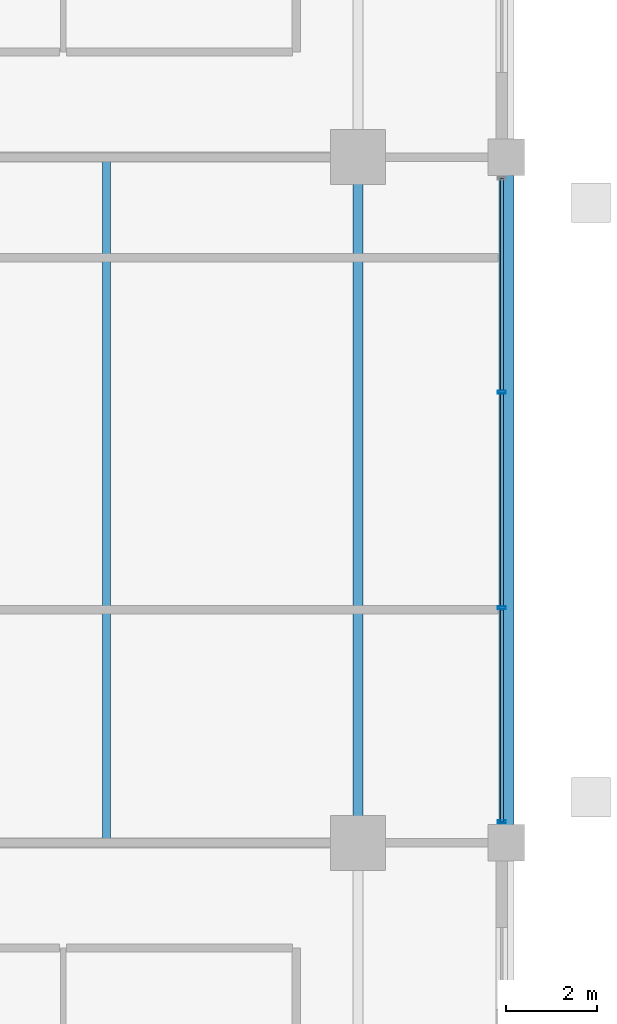
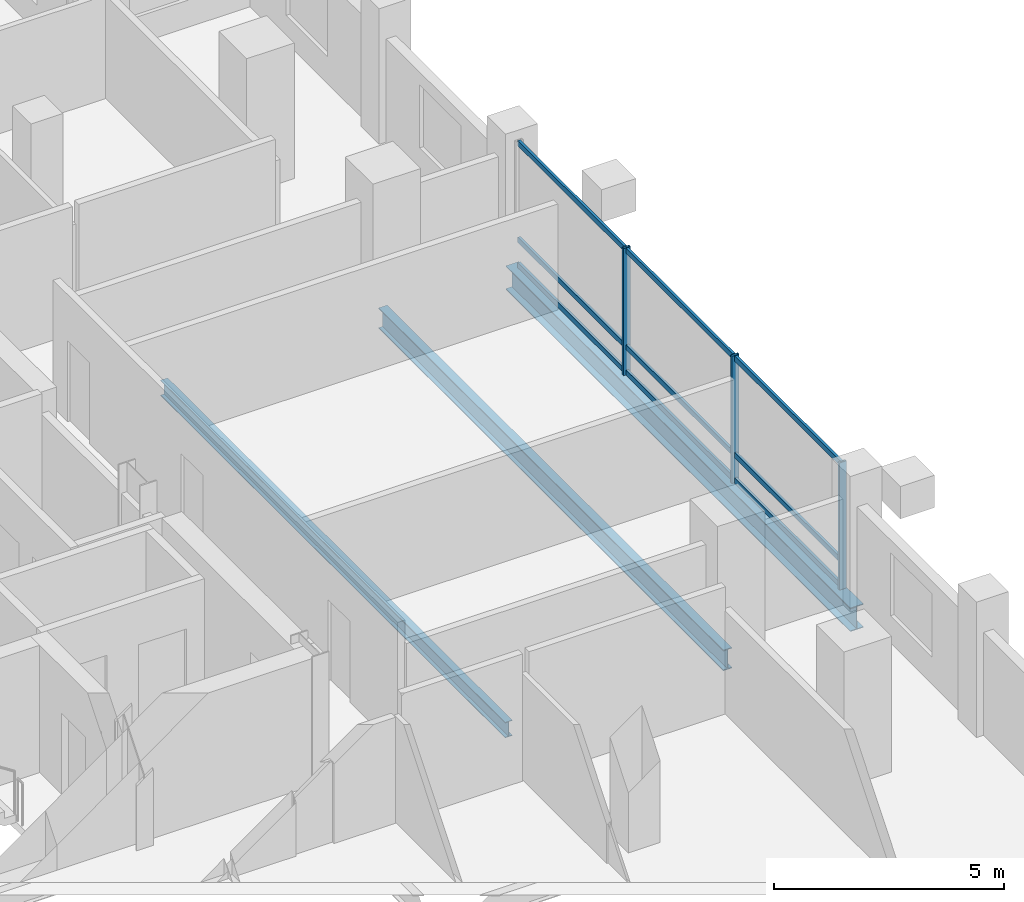
# One storey, part 7 of 20: 12 members, 3 beams, 1 element without a shape of its own.
"""IFC4 building model written with IfcOpenShell, lengths in metres."""

from ifc_helpers import new_model, si_unit, direction, frame, origin, origin_2d, place, context, subcontext, project, spatial, hollow_rectangle, i_section, extrude, material, layer, layer_set, material_profile, profile_set, type_object, element, aggregate, save


model = new_model("IFC4")

# Units and contexts
model_context = context("Model", 3, precision=1e-05, world=origin(), true_north=direction((0.0, 1.0)))
body_context = subcontext(model_context, "Body", "Model", "MODEL_VIEW")
ifc_project = project(units=[si_unit("LENGTHUNIT", "METRE"), si_unit("AREAUNIT", "SQUARE_METRE"), si_unit("VOLUMEUNIT", "CUBIC_METRE"), si_unit("PLANEANGLEUNIT", "RADIAN"), si_unit("MASSUNIT", "GRAM", prefix="KILO")], contexts=[model_context])

# Site, building, storey
site_placement = place(None, origin())
site = spatial("IfcSite", under=ifc_project, at=site_placement, CompositionType="ELEMENT")
building_placement = place(site_placement, origin())
building = spatial("IfcBuilding", under=site, at=building_placement, Name="Barlavira Tower and Art Museum", CompositionType="ELEMENT")
storey_placement = place(building_placement, frame((0.0, 0.0, 136.800048828125)))
storey = spatial("IfcBuildingStorey", under=building, at=storey_placement, Name="L34", CompositionType="ELEMENT", Elevation=136.800048828125)

# Curtain wall, members
ifc_material_1 = material(Name="Low-iron coastal laminated glass", Category="glass")
ifc_layer = layer(ifc_material_1, 0.18994140625, Name="Low-iron coastal laminated glass")
ifc_layer_set = layer_set([ifc_layer], Name="Low-iron coastal laminated glass")
curtain_wall_type = type_object("IfcCurtainWallType", Name="Pale-Metal Unitised Curtain Wall Zone 2", PredefinedType="NOTDEFINED", material=ifc_layer_set)
curtain_wall_placement = place(storey_placement, origin())
curtain_wall = element("IfcCurtainWall", 1, at=curtain_wall_placement, inside=storey, type_object=curtain_wall_type, Name="L34 Curtain Wall CW2-L34-E-B3", PredefinedType="NOTDEFINED")
ifc_material_2 = material(Name="Pale anodised aluminium", Category="aluminium")
ifc_material_profile_1 = material_profile(ifc_material_2, hollow_rectangle(XDim=0.06494140625, YDim=0.179931640625, WallThickness=0.00390625, at=origin_2d()), Name="ALU-MULL 65x180x4")
ifc_profile_set_1 = profile_set([ifc_material_profile_1], Name="Pale anodised aluminium")
member_type_1 = type_object("IfcMemberType", Name="Curtain Wall Pale-Metal Mullion 65x180", PredefinedType="MULLION", material=ifc_profile_set_1)
member_1_placement = place(storey_placement, frame((20.14990234375, -7.034912109375, 0.0), z_axis=(0.0, 0.0, 1.0), x_axis=(0.0, 1.0, 0.0)))
member_1 = element("IfcMember", 2, at=member_1_placement, type_object=member_type_1, Name="CW2-L34-E-B3 Mullion 0", PredefinedType="MULLION", context=body_context, shape_type="SweptSolid", body=[
    extrude(hollow_rectangle(XDim=0.06494140625, YDim=0.179931640625, WallThickness=0.00390625, at=origin_2d()), origin(), (0.0, 0.0, 1.0), 3.3798828125),
])
member_2_placement = place(storey_placement, frame((20.14990234375, -2.360107421875, 0.0), z_axis=(0.0, 0.0, 1.0), x_axis=(0.0, 1.0, 0.0)))
member_2 = element("IfcMember", 3, at=member_2_placement, type_object=member_type_1, Name="CW2-L34-E-B3 Mullion 1", PredefinedType="MULLION", context=body_context, shape_type="SweptSolid", body=[
    extrude(hollow_rectangle(XDim=0.06494140625, YDim=0.179931640625, WallThickness=0.00390625, at=origin_2d()), origin(), (0.0, 0.0, 1.0), 3.3798828125),
])
member_3_placement = place(storey_placement, frame((20.14990234375, 2.360107421875, 0.0), z_axis=(0.0, 0.0, 1.0), x_axis=(0.0, 1.0, 0.0)))
member_3 = element("IfcMember", 4, at=member_3_placement, type_object=member_type_1, Name="CW2-L34-E-B3 Mullion 2", PredefinedType="MULLION", context=body_context, shape_type="SweptSolid", body=[
    extrude(hollow_rectangle(XDim=0.06494140625, YDim=0.179931640625, WallThickness=0.00390625, at=origin_2d()), origin(), (0.0, 0.0, 1.0), 3.3798828125),
])
ifc_material_profile_2 = material_profile(ifc_material_2, hollow_rectangle(XDim=0.06494140625, YDim=0.139892578125, WallThickness=0.00390625, at=origin_2d()), Name="ALU-TRAN 65x140x4")
ifc_profile_set_2 = profile_set([ifc_material_profile_2], Name="Pale anodised aluminium")
member_type_2 = type_object("IfcMemberType", Name="Curtain Wall Pale-Metal Transom 65x140", PredefinedType="USERDEFINED", material=ifc_profile_set_2)
member_4_placement = place(storey_placement, frame((20.14990234375, -7.034912109375, 0.070068359375), z_axis=(0.0, 1.0, 0.0), x_axis=(-1.0, 0.0, 0.0)))
member_4 = element("IfcMember", 5, at=member_4_placement, type_object=member_type_2, Name="CW2-L34-E-B3 Transom 0.1", ObjectType="TRANSOM", PredefinedType="USERDEFINED", context=body_context, shape_type="SweptSolid", body=[
    extrude(hollow_rectangle(XDim=0.06494140625, YDim=0.139892578125, WallThickness=0.00390625, at=origin_2d()), origin(), (0.0, 0.0, 1.0), 4.6298828125),
])
member_5_placement = place(storey_placement, frame((20.14990234375, -7.034912109375, 0.743896484375), z_axis=(0.0, 1.0, 0.0), x_axis=(-1.0, 0.0, 0.0)))
member_5 = element("IfcMember", 6, at=member_5_placement, type_object=member_type_2, Name="CW2-L34-E-B3 Transom 0.2", ObjectType="TRANSOM", PredefinedType="USERDEFINED", context=body_context, shape_type="SweptSolid", body=[
    extrude(hollow_rectangle(XDim=0.06494140625, YDim=0.139892578125, WallThickness=0.00390625, at=origin_2d()), origin(), (0.0, 0.0, 1.0), 4.6298828125),
])
member_6_placement = place(storey_placement, frame((20.14990234375, -7.034912109375, 3.31005859375), z_axis=(0.0, 1.0, 0.0), x_axis=(-1.0, 0.0, 0.0)))
member_6 = element("IfcMember", 7, at=member_6_placement, type_object=member_type_2, Name="CW2-L34-E-B3 Transom 0.3", ObjectType="TRANSOM", PredefinedType="USERDEFINED", context=body_context, shape_type="SweptSolid", body=[
    extrude(hollow_rectangle(XDim=0.06494140625, YDim=0.139892578125, WallThickness=0.00390625, at=origin_2d()), origin(), (0.0, 0.0, 1.0), 4.6298828125),
])
member_7_placement = place(storey_placement, frame((20.14990234375, -2.31494140625, 0.070068359375), z_axis=(0.0, 1.0, 0.0), x_axis=(-1.0, 0.0, 0.0)))
member_7 = element("IfcMember", 8, at=member_7_placement, type_object=member_type_2, Name="CW2-L34-E-B3 Transom 1.1", ObjectType="TRANSOM", PredefinedType="USERDEFINED", context=body_context, shape_type="SweptSolid", body=[
    extrude(hollow_rectangle(XDim=0.06494140625, YDim=0.139892578125, WallThickness=0.00390625, at=origin_2d()), origin(), (0.0, 0.0, 1.0), 4.6298828125),
])
member_8_placement = place(storey_placement, frame((20.14990234375, -2.31494140625, 0.743896484375), z_axis=(0.0, 1.0, 0.0), x_axis=(-1.0, 0.0, 0.0)))
member_8 = element("IfcMember", 9, at=member_8_placement, type_object=member_type_2, Name="CW2-L34-E-B3 Transom 1.2", ObjectType="TRANSOM", PredefinedType="USERDEFINED", context=body_context, shape_type="SweptSolid", body=[
    extrude(hollow_rectangle(XDim=0.06494140625, YDim=0.139892578125, WallThickness=0.00390625, at=origin_2d()), origin(), (0.0, 0.0, 1.0), 4.6298828125),
])
member_9_placement = place(storey_placement, frame((20.14990234375, -2.31494140625, 3.31005859375), z_axis=(0.0, 1.0, 0.0), x_axis=(-1.0, 0.0, 0.0)))
member_9 = element("IfcMember", 10, at=member_9_placement, type_object=member_type_2, Name="CW2-L34-E-B3 Transom 1.3", ObjectType="TRANSOM", PredefinedType="USERDEFINED", context=body_context, shape_type="SweptSolid", body=[
    extrude(hollow_rectangle(XDim=0.06494140625, YDim=0.139892578125, WallThickness=0.00390625, at=origin_2d()), origin(), (0.0, 0.0, 1.0), 4.6298828125),
])
member_10_placement = place(storey_placement, frame((20.14990234375, 2.405029296875, 0.070068359375), z_axis=(0.0, 1.0, 0.0), x_axis=(-1.0, 0.0, 0.0)))
member_10 = element("IfcMember", 11, at=member_10_placement, type_object=member_type_2, Name="CW2-L34-E-B3 Transom 2.1", ObjectType="TRANSOM", PredefinedType="USERDEFINED", context=body_context, shape_type="SweptSolid", body=[
    extrude(hollow_rectangle(XDim=0.06494140625, YDim=0.139892578125, WallThickness=0.00390625, at=origin_2d()), origin(), (0.0, 0.0, 1.0), 4.6298828125),
])
member_11_placement = place(storey_placement, frame((20.14990234375, 2.405029296875, 0.743896484375), z_axis=(0.0, 1.0, 0.0), x_axis=(-1.0, 0.0, 0.0)))
member_11 = element("IfcMember", 12, at=member_11_placement, type_object=member_type_2, Name="CW2-L34-E-B3 Transom 2.2", ObjectType="TRANSOM", PredefinedType="USERDEFINED", context=body_context, shape_type="SweptSolid", body=[
    extrude(hollow_rectangle(XDim=0.06494140625, YDim=0.139892578125, WallThickness=0.00390625, at=origin_2d()), origin(), (0.0, 0.0, 1.0), 4.6298828125),
])
member_12_placement = place(storey_placement, frame((20.14990234375, 2.405029296875, 3.31005859375), z_axis=(0.0, 1.0, 0.0), x_axis=(-1.0, 0.0, 0.0)))
member_12 = element("IfcMember", 13, at=member_12_placement, type_object=member_type_2, Name="CW2-L34-E-B3 Transom 2.3", ObjectType="TRANSOM", PredefinedType="USERDEFINED", context=body_context, shape_type="SweptSolid", body=[
    extrude(hollow_rectangle(XDim=0.06494140625, YDim=0.139892578125, WallThickness=0.00390625, at=origin_2d()), origin(), (0.0, 0.0, 1.0), 4.6298828125),
])
aggregate(curtain_wall, [member_1, member_2, member_3, member_4, member_5, member_6, member_7, member_8, member_9, member_10, member_11, member_12])

# Beams
ifc_material_3 = material(Name="Steel S355", Category="steel")
ifc_material_profile_3 = material_profile(ifc_material_3, i_section(OverallWidth=0.327880859375, OverallDepth=0.62890625, WebThickness=0.013916015625, FlangeThickness=0.021484375, at=origin_2d()), Name="W610x174.0")
ifc_profile_set_3 = profile_set([ifc_material_profile_3], Name="Steel S355")
beam_type_1 = type_object("IfcBeamType", Name="Perimeter Spandrel Edge Beam W610x174 Steel S355", PredefinedType="SPANDREL", material=ifc_profile_set_3)
beam_1_placement = place(storey_placement, frame((20.25, -7.5, -0.53466796875), z_axis=(0.0, 1.0, 0.0), x_axis=(-1.0, 0.0, 0.0)))
element("IfcBeam", 14, at=beam_1_placement, inside=storey, type_object=beam_type_1, Name="L34 Spandrel 6", PredefinedType="SPANDREL", context=body_context, shape_type="SweptSolid", body=[
    extrude(i_section(OverallWidth=0.327880859375, OverallDepth=0.62890625, WebThickness=0.013916015625, FlangeThickness=0.021484375, at=origin_2d()), origin(), (0.0, 0.0, 1.0), 15.0),
])
ifc_material_profile_4 = material_profile(ifc_material_3, i_section(OverallWidth=0.214111328125, OverallDepth=0.549072265625, WebThickness=0.0146484375, FlangeThickness=0.023681640625, at=origin_2d()), Name="W530x138.0")
ifc_profile_set_4 = profile_set([ifc_material_profile_4], Name="Steel S355")
beam_type_2 = type_object("IfcBeamType", Name="Zone 1 Primary Floor Girder W530x138 Steel S355", PredefinedType="BEAM", material=ifc_profile_set_4)
beam_2_placement = place(storey_placement, frame((17.0, -7.5, -0.49462890625), z_axis=(0.0, 1.0, 0.0), x_axis=(-1.0, 0.0, 0.0)))
element("IfcBeam", 15, at=beam_2_placement, inside=storey, type_object=beam_type_2, Name="L34 Girder M-E2", PredefinedType="BEAM", context=body_context, shape_type="SweptSolid", body=[
    extrude(i_section(OverallWidth=0.214111328125, OverallDepth=0.549072265625, WebThickness=0.0146484375, FlangeThickness=0.023681640625, at=origin_2d()), origin(), (0.0, 0.0, 1.0), 15.0),
])
ifc_material_profile_5 = material_profile(ifc_material_3, i_section(OverallWidth=0.179931640625, OverallDepth=0.4130859375, WebThickness=0.009765625, FlangeThickness=0.01611328125, at=origin_2d()), Name="W410x75.0")
ifc_profile_set_5 = profile_set([ifc_material_profile_5], Name="Steel S355")
beam_type_3 = type_object("IfcBeamType", Name="Zone 2 Composite Floor Joist W410x75 Steel S355", PredefinedType="JOIST", material=ifc_profile_set_5)
beam_3_placement = place(storey_placement, frame((11.5, -7.5, -0.426513671875), z_axis=(0.0, 1.0, 0.0), x_axis=(-1.0, 0.0, 0.0)))
element("IfcBeam", 16, at=beam_3_placement, inside=storey, type_object=beam_type_3, Name="L34 Joist W2", PredefinedType="JOIST", context=body_context, shape_type="SweptSolid", body=[
    extrude(i_section(OverallWidth=0.179931640625, OverallDepth=0.4130859375, WebThickness=0.009765625, FlangeThickness=0.01611328125, at=origin_2d()), origin(), (0.0, 0.0, 1.0), 15.0),
])

save(model, "model.ifc")
